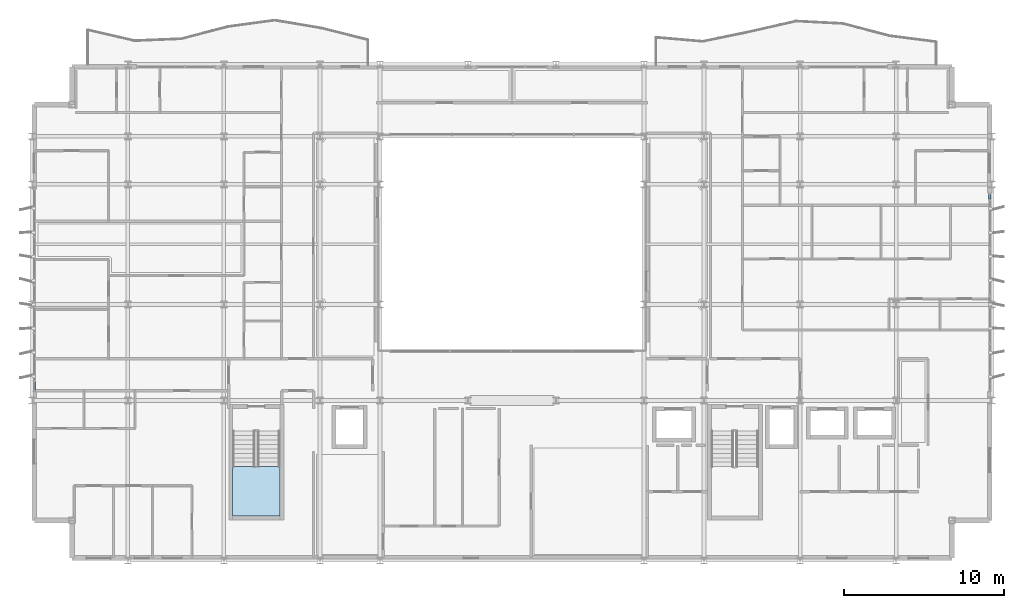
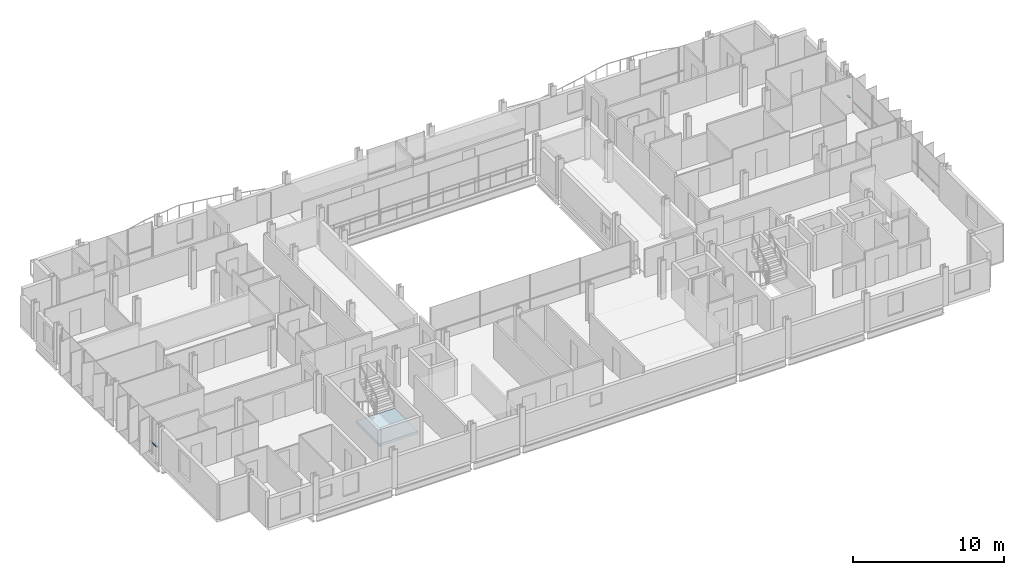
# One storey, part 23 of 40: 2 members, 1 slab, 3 elements without a shape of their own.
"""IFC4 building model written with IfcOpenShell, lengths in metres."""

from ifc_helpers import new_model, si_unit, direction, frame, origin, origin_2d, place, context, subcontext, project, spatial, polyline, hollow_rectangle, outline, extrude, material, layer, layer_set, material_profile, profile_set, type_object, element, aggregate, save


model = new_model("IFC4")

# Units and contexts
model_context = context("Model", 3, precision=1e-05, world=origin(), true_north=direction((0.0, 1.0)))
body_context = subcontext(model_context, "Body", "Model", "MODEL_VIEW")
ifc_project = project(units=[si_unit("LENGTHUNIT", "METRE"), si_unit("AREAUNIT", "SQUARE_METRE"), si_unit("VOLUMEUNIT", "CUBIC_METRE"), si_unit("PLANEANGLEUNIT", "RADIAN"), si_unit("MASSUNIT", "GRAM", prefix="KILO")], contexts=[model_context])

# Site, building, storey
site_placement = place(None, origin())
site = spatial("IfcSite", under=ifc_project, at=site_placement, CompositionType="ELEMENT")
building_placement = place(site_placement, origin())
building = spatial("IfcBuilding", under=site, at=building_placement, Name="Brevholm Reach", CompositionType="ELEMENT")
storey_placement = place(building_placement, frame((0.0, 0.0, 160.39990234375)))
storey = spatial("IfcBuildingStorey", under=building, at=storey_placement, Name="L48", CompositionType="ELEMENT", Elevation=160.39990234375)

# Curtain wall, member
ifc_material_1 = material(Name="Dark Anodised Aluminium 6063-T6 and Solar-Control Glass", Category="aluminium")
ifc_layer_1 = layer(ifc_material_1, 0.14990234375)
ifc_layer_set_1 = layer_set([ifc_layer_1], Name="Dark Anodised Aluminium 6063-T6 and Solar-Control Glass")
curtain_wall_type = type_object("IfcCurtainWallType", Name="CW-01", PredefinedType="NOTDEFINED", material=ifc_layer_set_1)
curtain_wall_1_placement = place(storey_placement, origin())
curtain_wall_1 = element("IfcCurtainWall", 1, at=curtain_wall_1_placement, inside=storey, type_object=curtain_wall_type, Name="L48 Curtain Wall CW-01", PredefinedType="NOTDEFINED")
ifc_material_2 = material(Name="Dark Anodised Aluminium 6063-T6", Category="aluminium")
ifc_material_profile = material_profile(ifc_material_2, hollow_rectangle(XDim=0.06494140625, YDim=0.14990234375, WallThickness=0.0048828125, InnerFilletRadius=0.0048828125, OuterFilletRadius=0.010009765625, at=origin_2d()), Name="RHS 150x65x5")
ifc_profile_set = profile_set([ifc_material_profile], Name="Dark Anodised Aluminium 6063-T6")
member_type = type_object("IfcMemberType", Name="CWT-150", PredefinedType="NOTDEFINED", material=ifc_profile_set)
member_1_placement = place(storey_placement, frame((0.14990234375, 11.1875, 0.900146484375), z_axis=(0.0, -1.0, 0.0), x_axis=(0.0, 0.0, 1.0)))
member_1 = element("IfcMember", 2, at=member_1_placement, type_object=member_type, Name="CT-150 Transom 5.1", ObjectType="TRANSOM", PredefinedType="USERDEFINED", context=body_context, shape_type="SweptSolid", body=[
    extrude(hollow_rectangle(XDim=0.06494140625, YDim=0.14990234375, WallThickness=0.0048828125, InnerFilletRadius=0.0048828125, OuterFilletRadius=0.010009765625, at=origin_2d()), origin(), (0.0, 0.0, 1.0), 0.572509765625),
])
aggregate(curtain_wall_1, [member_1])

curtain_wall_2_placement = place(storey_placement, origin())
curtain_wall_2 = element("IfcCurtainWall", 3, at=curtain_wall_2_placement, inside=storey, type_object=curtain_wall_type, Name="L48 Curtain Wall CW-01", PredefinedType="NOTDEFINED")
member_2_placement = place(storey_placement, frame((59.85009765625, 22.58251953125, 0.900146484375), z_axis=(0.0, 1.0, 0.0), x_axis=(0.0, 0.0, 1.0)))
member_2 = element("IfcMember", 4, at=member_2_placement, type_object=member_type, Name="CT-150 Transom 5.1", ObjectType="TRANSOM", PredefinedType="USERDEFINED", context=body_context, shape_type="SweptSolid", body=[
    extrude(hollow_rectangle(XDim=0.06494140625, YDim=0.14990234375, WallThickness=0.0048828125, InnerFilletRadius=0.0048828125, OuterFilletRadius=0.010009765625, at=origin_2d()), origin(), (0.0, 0.0, 1.0), 0.302490234375),
])
aggregate(curtain_wall_2, [member_2])

# Stair, slab
ifc_material_3 = material(Name="Precast Concrete C40/50", Category="concrete")
stair_type = type_object("IfcStairType", Name="STR-ESC-1400", PredefinedType="DOUBLE_RETURN_STAIR", material=ifc_material_3)
stair_placement = place(storey_placement, origin())
stair = element("IfcStair", 5, at=stair_placement, inside=storey, type_object=stair_type, Name="L48 ST-1", PredefinedType="DOUBLE_RETURN_STAIR")
ifc_material_4 = material(Name="Concrete C40/50", Category="concrete")
ifc_layer_2 = layer(ifc_material_4, 0.199951171875)
ifc_layer_set_2 = layer_set([ifc_layer_2], Name="Concrete C40/50")
slab_type = type_object("IfcSlabType", Name="SLB-LND-200", PredefinedType="LANDING", material=ifc_layer_set_2)
slab_placement = place(storey_placement, frame((0.0, 0.0, 1.35009765625)))
slab = element("IfcSlab", 6, at=slab_placement, type_object=slab_type, Name="ST-1 landing 1", PredefinedType="LANDING", context=body_context, shape_type="SweptSolid", body=[
    extrude(outline(polyline([(12.550048828125, 5.860107421875), (12.550048828125, 2.780029296875), (15.5, 2.780029296875), (15.5, 5.860107421875), (12.550048828125, 5.860107421875)])), origin(), (0.0, 0.0, 1.0), 0.199951171875),
])
aggregate(stair, [slab])

save(model, "model.ifc")
